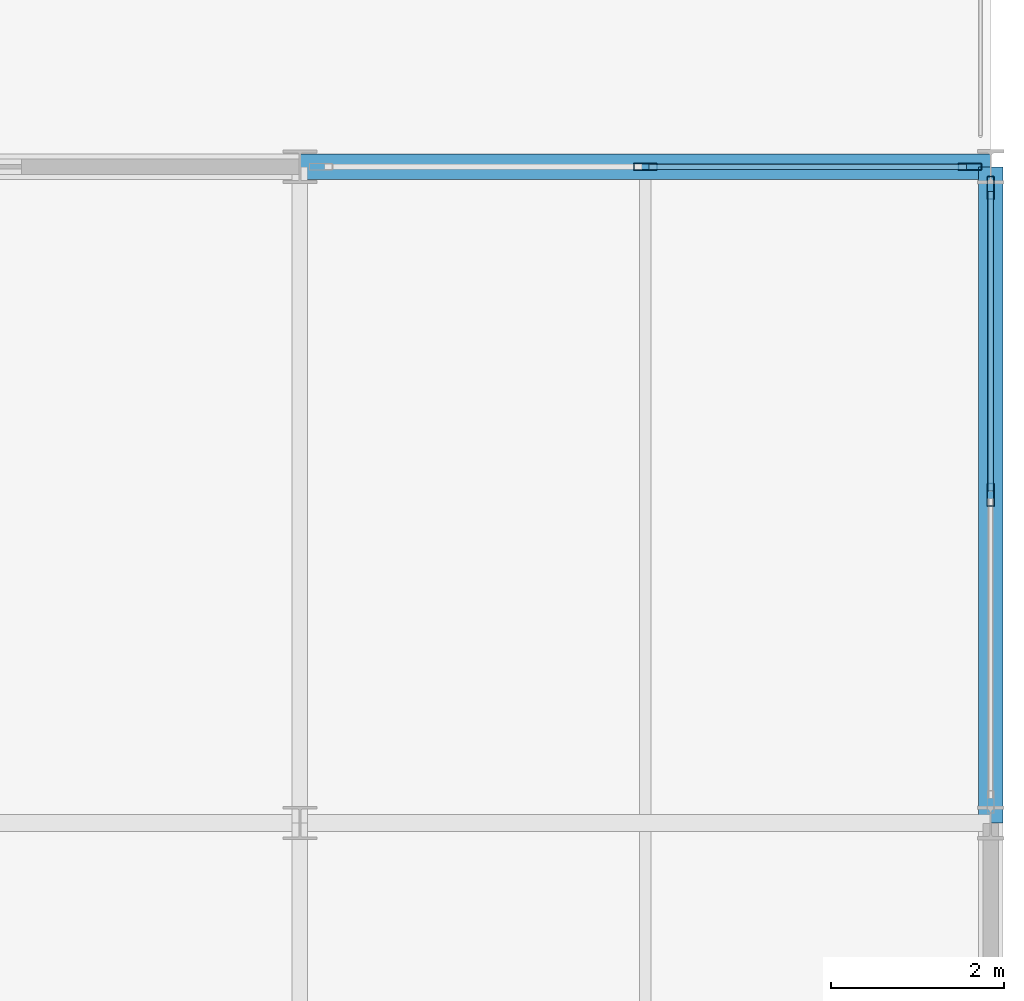
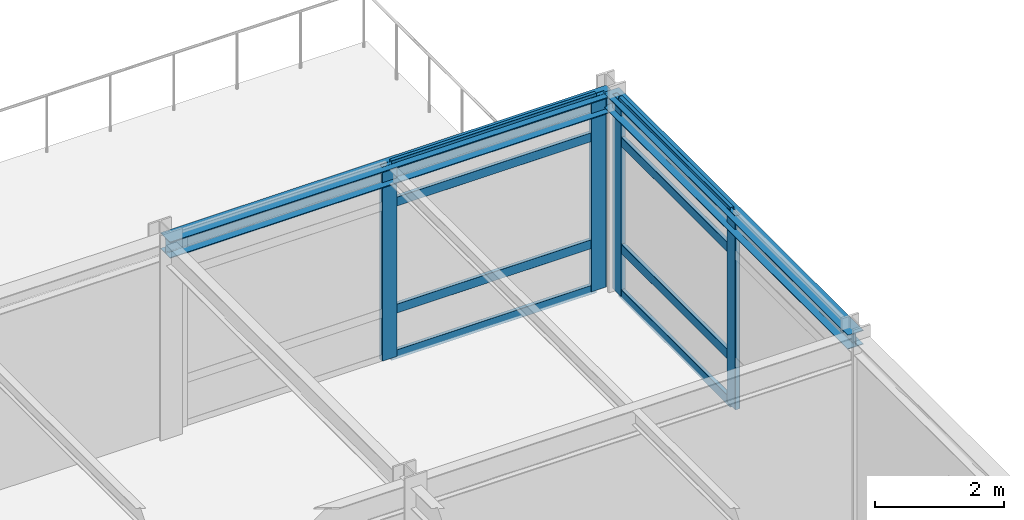
# One storey, part 11 of 17: 12 members, 2 beams, 2 elements without a shape of their own.
"""IFC4 building model written with IfcOpenShell, lengths in metres."""

from ifc_helpers import new_model, si_unit, direction, frame, origin, origin_2d, place, context, subcontext, project, spatial, hollow_rectangle, i_section, extrude, material, layer, layer_set, material_profile, profile_set, type_object, element, aggregate, save


model = new_model("IFC4")

# Units and contexts
model_context = context("Model", 3, precision=1e-05, world=origin(), true_north=direction((0.0, 1.0)))
body_context = subcontext(model_context, "Body", "Model", "MODEL_VIEW")
ifc_project = project(units=[si_unit("LENGTHUNIT", "METRE"), si_unit("AREAUNIT", "SQUARE_METRE"), si_unit("VOLUMEUNIT", "CUBIC_METRE"), si_unit("PLANEANGLEUNIT", "RADIAN"), si_unit("MASSUNIT", "GRAM", prefix="KILO")], contexts=[model_context])

# Site, building, storey
site_placement = place(None, origin())
site = spatial("IfcSite", under=ifc_project, at=site_placement, CompositionType="ELEMENT")
building_placement = place(site_placement, origin())
building = spatial("IfcBuilding", under=site, at=building_placement, Name="Shalkamar Park Central Library", CompositionType="ELEMENT")
storey_placement = place(building_placement, frame((0.0, 0.0, 36.0)))
storey = spatial("IfcBuildingStorey", under=building, at=storey_placement, Name="L09", CompositionType="ELEMENT", Elevation=36.0)

# Curtain wall, members
ifc_material_1 = material(Name="Thermally broken aluminium and triple low-e curtain wall", Category="aluminium")
ifc_layer_1 = layer(ifc_material_1, 0.27001953125)
ifc_layer_set_1 = layer_set([ifc_layer_1], Name="UnitisedCurtainWall_76")
curtain_wall_type_1 = type_object("IfcCurtainWallType", Name="Unitised Curtain Wall 76", PredefinedType="USERDEFINED", material=ifc_layer_set_1)
curtain_wall_1_placement = place(storey_placement, origin())
curtain_wall_1 = element("IfcCurtainWall", 1, at=curtain_wall_1_placement, inside=storey, type_object=curtain_wall_type_1, Name="Unitised Curtain Wall CW-L09-116", ObjectType="UNITISED CURTAIN WALL", PredefinedType="USERDEFINED")
ifc_material_2 = material(Name="Aluminium 6060-T66", Category="aluminium")
ifc_material_profile_1 = material_profile(ifc_material_2, hollow_rectangle(XDim=0.080078125, YDim=0.27001953125, WallThickness=0.0048828125, InnerFilletRadius=0.0048828125, OuterFilletRadius=0.007568359375, at=origin_2d()), Name="ALU 80x270x5")
ifc_profile_set_1 = profile_set([ifc_material_profile_1], Name="Aluminium 6060-T66")
member_type_1 = type_object("IfcMemberType", Name="Curtain Wall Mullion ALU80x270", PredefinedType="MULLION", material=ifc_profile_set_1)
member_1_placement = place(storey_placement, frame((217.000732421875, 285.60009765625, 0.0), z_axis=(0.0, 0.0, 1.0), x_axis=(0.0, 1.0, 0.0)))
member_1 = element("IfcMember", 2, at=member_1_placement, type_object=member_type_1, Name="CW-76 mullion 2", PredefinedType="MULLION", context=body_context, shape_type="SweptSolid", body=[
    extrude(hollow_rectangle(XDim=0.080078125, YDim=0.27001953125, WallThickness=0.0048828125, InnerFilletRadius=0.0048828125, OuterFilletRadius=0.007568359375, at=origin_2d()), origin(), (0.0, 0.0, 1.0), 3.679931640625),
])
member_2_placement = place(storey_placement, frame((220.758544921875, 285.60009765625, 0.0), z_axis=(0.0, 0.0, 1.0), x_axis=(0.0, 1.0, 0.0)))
member_2 = element("IfcMember", 3, at=member_2_placement, type_object=member_type_1, Name="CW-76 mullion 3", PredefinedType="MULLION", context=body_context, shape_type="SweptSolid", body=[
    extrude(hollow_rectangle(XDim=0.080078125, YDim=0.27001953125, WallThickness=0.0048828125, InnerFilletRadius=0.0048828125, OuterFilletRadius=0.007568359375, at=origin_2d()), origin(), (0.0, 0.0, 1.0), 3.679931640625),
])

ifc_layer_2 = layer(ifc_material_1, 0.264892578125)
ifc_layer_set_2 = layer_set([ifc_layer_2], Name="UnitisedCurtainWall_81")
curtain_wall_type_2 = type_object("IfcCurtainWallType", Name="Unitised Curtain Wall 81", PredefinedType="USERDEFINED", material=ifc_layer_set_2)
curtain_wall_2_placement = place(storey_placement, origin())
curtain_wall_2 = element("IfcCurtainWall", 4, at=curtain_wall_2_placement, inside=storey, type_object=curtain_wall_type_2, Name="Unitised Curtain Wall CW-L09-118", ObjectType="UNITISED CURTAIN WALL", PredefinedType="USERDEFINED")
ifc_material_profile_2 = material_profile(ifc_material_2, hollow_rectangle(XDim=0.0849609375, YDim=0.264892578125, WallThickness=0.0048828125, InnerFilletRadius=0.0048828125, OuterFilletRadius=0.007568359375, at=origin_2d()), Name="ALU 85x265x5")
ifc_profile_set_2 = profile_set([ifc_material_profile_2], Name="Aluminium 6060-T66")
member_type_2 = type_object("IfcMemberType", Name="Curtain Wall Mullion ALU85x265", PredefinedType="MULLION", material=ifc_profile_set_2)
member_3_placement = place(storey_placement, frame((221.0, 281.800048828125, 0.0), z_axis=(0.0, 0.0, 1.0), x_axis=(-1.0, 0.0, 0.0)))
member_3 = element("IfcMember", 5, at=member_3_placement, type_object=member_type_2, Name="CW-81 mullion 2", PredefinedType="MULLION", context=body_context, shape_type="SweptSolid", body=[
    extrude(hollow_rectangle(XDim=0.0849609375, YDim=0.264892578125, WallThickness=0.0048828125, InnerFilletRadius=0.0048828125, OuterFilletRadius=0.007568359375, at=origin_2d()), origin(), (0.0, 0.0, 1.0), 3.679931640625),
])
member_4_placement = place(storey_placement, frame((221.0, 285.35595703125, 0.0), z_axis=(0.0, 0.0, 1.0), x_axis=(-1.0, 0.0, 0.0)))
member_4 = element("IfcMember", 6, at=member_4_placement, type_object=member_type_2, Name="CW-81 mullion 3", PredefinedType="MULLION", context=body_context, shape_type="SweptSolid", body=[
    extrude(hollow_rectangle(XDim=0.0849609375, YDim=0.264892578125, WallThickness=0.0048828125, InnerFilletRadius=0.0048828125, OuterFilletRadius=0.007568359375, at=origin_2d()), origin(), (0.0, 0.0, 1.0), 3.679931640625),
])

# Member
ifc_material_profile_3 = material_profile(ifc_material_2, hollow_rectangle(XDim=0.06494140625, YDim=0.175048828125, WallThickness=0.00439453125, InnerFilletRadius=0.00439453125, OuterFilletRadius=0.0068359375, at=origin_2d()), Name="ALU 65x175x4.5")
ifc_profile_set_3 = profile_set([ifc_material_profile_3], Name="Aluminium 6060-T66")
member_type_3 = type_object("IfcMemberType", Name="Curtain Wall Transom ALU65x175", PredefinedType="USERDEFINED", material=ifc_profile_set_3)
member_5_placement = place(storey_placement, frame((217.040771484375, 285.60009765625, 0.032470703125), z_axis=(1.0, 0.0, 0.0), x_axis=(0.0, 1.0, 0.0)))
member_5 = element("IfcMember", 7, at=member_5_placement, type_object=member_type_3, Name="CW-76 transom 2.1", ObjectType="TRANSOM", PredefinedType="USERDEFINED", context=body_context, shape_type="SweptSolid", body=[
    extrude(hollow_rectangle(XDim=0.06494140625, YDim=0.175048828125, WallThickness=0.00439453125, InnerFilletRadius=0.00439453125, OuterFilletRadius=0.0068359375, at=origin_2d()), origin(), (0.0, 0.0, 1.0), 3.677734375),
])

member_6_placement = place(storey_placement, frame((217.040771484375, 285.60009765625, 0.89990234375), z_axis=(1.0, 0.0, 0.0), x_axis=(0.0, 1.0, 0.0)))
member_6 = element("IfcMember", 8, at=member_6_placement, type_object=member_type_3, Name="CW-76 transom 2.2", ObjectType="TRANSOM", PredefinedType="USERDEFINED", context=body_context, shape_type="SweptSolid", body=[
    extrude(hollow_rectangle(XDim=0.06494140625, YDim=0.175048828125, WallThickness=0.00439453125, InnerFilletRadius=0.00439453125, OuterFilletRadius=0.0068359375, at=origin_2d()), origin(), (0.0, 0.0, 1.0), 3.677734375),
])

member_7_placement = place(storey_placement, frame((217.040771484375, 285.60009765625, 2.929931640625), z_axis=(1.0, 0.0, 0.0), x_axis=(0.0, 1.0, 0.0)))
member_7 = element("IfcMember", 9, at=member_7_placement, type_object=member_type_3, Name="CW-76 transom 2.3", ObjectType="TRANSOM", PredefinedType="USERDEFINED", context=body_context, shape_type="SweptSolid", body=[
    extrude(hollow_rectangle(XDim=0.06494140625, YDim=0.175048828125, WallThickness=0.00439453125, InnerFilletRadius=0.00439453125, OuterFilletRadius=0.0068359375, at=origin_2d()), origin(), (0.0, 0.0, 1.0), 3.677734375),
])

member_8_placement = place(storey_placement, frame((217.040771484375, 285.60009765625, 3.6474609375), z_axis=(1.0, 0.0, 0.0), x_axis=(0.0, 1.0, 0.0)))
member_8 = element("IfcMember", 10, at=member_8_placement, type_object=member_type_3, Name="CW-76 transom 2.4", ObjectType="TRANSOM", PredefinedType="USERDEFINED", context=body_context, shape_type="SweptSolid", body=[
    extrude(hollow_rectangle(XDim=0.06494140625, YDim=0.175048828125, WallThickness=0.00439453125, InnerFilletRadius=0.00439453125, OuterFilletRadius=0.0068359375, at=origin_2d()), origin(), (0.0, 0.0, 1.0), 3.677734375),
])

aggregate(curtain_wall_1, [member_1, member_2, member_5, member_6, member_7, member_8])

ifc_material_profile_4 = material_profile(ifc_material_2, hollow_rectangle(XDim=0.070068359375, YDim=0.179931640625, WallThickness=0.00439453125, InnerFilletRadius=0.00439453125, OuterFilletRadius=0.0068359375, at=origin_2d()), Name="ALU 70x180x4.5")
ifc_profile_set_4 = profile_set([ifc_material_profile_4], Name="Aluminium 6060-T66")
member_type_4 = type_object("IfcMemberType", Name="Curtain Wall Transom ALU70x180", PredefinedType="USERDEFINED", material=ifc_profile_set_4)
member_9_placement = place(storey_placement, frame((221.0, 281.842529296875, 0.034912109375), z_axis=(0.0, 1.0, 0.0), x_axis=(-1.0, 0.0, 0.0)))
member_9 = element("IfcMember", 11, at=member_9_placement, type_object=member_type_4, Name="CW-81 transom 2.1", ObjectType="TRANSOM", PredefinedType="USERDEFINED", context=body_context, shape_type="SweptSolid", body=[
    extrude(hollow_rectangle(XDim=0.070068359375, YDim=0.179931640625, WallThickness=0.00439453125, InnerFilletRadius=0.00439453125, OuterFilletRadius=0.0068359375, at=origin_2d()), origin(), (0.0, 0.0, 1.0), 3.470947265625),
])

member_10_placement = place(storey_placement, frame((221.0, 281.842529296875, 0.89990234375), z_axis=(0.0, 1.0, 0.0), x_axis=(-1.0, 0.0, 0.0)))
member_10 = element("IfcMember", 12, at=member_10_placement, type_object=member_type_4, Name="CW-81 transom 2.2", ObjectType="TRANSOM", PredefinedType="USERDEFINED", context=body_context, shape_type="SweptSolid", body=[
    extrude(hollow_rectangle(XDim=0.070068359375, YDim=0.179931640625, WallThickness=0.00439453125, InnerFilletRadius=0.00439453125, OuterFilletRadius=0.0068359375, at=origin_2d()), origin(), (0.0, 0.0, 1.0), 3.470947265625),
])

member_11_placement = place(storey_placement, frame((221.0, 281.842529296875, 2.929931640625), z_axis=(0.0, 1.0, 0.0), x_axis=(-1.0, 0.0, 0.0)))
member_11 = element("IfcMember", 13, at=member_11_placement, type_object=member_type_4, Name="CW-81 transom 2.3", ObjectType="TRANSOM", PredefinedType="USERDEFINED", context=body_context, shape_type="SweptSolid", body=[
    extrude(hollow_rectangle(XDim=0.070068359375, YDim=0.179931640625, WallThickness=0.00439453125, InnerFilletRadius=0.00439453125, OuterFilletRadius=0.0068359375, at=origin_2d()), origin(), (0.0, 0.0, 1.0), 3.470947265625),
])

member_12_placement = place(storey_placement, frame((221.0, 281.842529296875, 3.64501953125), z_axis=(0.0, 1.0, 0.0), x_axis=(-1.0, 0.0, 0.0)))
member_12 = element("IfcMember", 14, at=member_12_placement, type_object=member_type_4, Name="CW-81 transom 2.4", ObjectType="TRANSOM", PredefinedType="USERDEFINED", context=body_context, shape_type="SweptSolid", body=[
    extrude(hollow_rectangle(XDim=0.070068359375, YDim=0.179931640625, WallThickness=0.00439453125, InnerFilletRadius=0.00439453125, OuterFilletRadius=0.0068359375, at=origin_2d()), origin(), (0.0, 0.0, 1.0), 3.470947265625),
])

aggregate(curtain_wall_2, [member_3, member_4, member_9, member_10, member_11, member_12])

# Beams
ifc_material_3 = material(Name="Steel S355", Category="steel")
ifc_material_profile_5 = material_profile(ifc_material_3, i_section(OverallWidth=0.280029296875, OverallDepth=0.27001953125, WebThickness=0.008056640625, FlangeThickness=0.012939453125, FilletRadius=0.02392578125, at=origin_2d()), Name="HEA 280")
ifc_profile_set_5 = profile_set([ifc_material_profile_5], Name="Steel S355")
beam_type_1 = type_object("IfcBeamType", Name="Perimeter Spandrel Beam HEA280", PredefinedType="SPANDREL", material=ifc_profile_set_5)
beam_1_placement = place(storey_placement, frame((221.0, 278.0, 3.544921875), z_axis=(0.0, 1.0, 0.0), x_axis=(-1.0, 0.0, 0.0)))
element("IfcBeam", 15, at=beam_1_placement, inside=storey, type_object=beam_type_1, Name="Beam 14:F-G (L09)", PredefinedType="SPANDREL", context=body_context, shape_type="SweptSolid", body=[
    extrude(i_section(OverallWidth=0.280029296875, OverallDepth=0.27001953125, WebThickness=0.008056640625, FlangeThickness=0.012939453125, FilletRadius=0.02392578125, at=origin_2d()), origin(), (0.0, 0.0, 1.0), 7.60009765625),
])
ifc_material_profile_6 = material_profile(ifc_material_3, i_section(OverallWidth=0.300048828125, OverallDepth=0.31005859375, WebThickness=0.009033203125, FlangeThickness=0.015380859375, FilletRadius=0.027099609375, at=origin_2d()), Name="HEA 320")
ifc_profile_set_6 = profile_set([ifc_material_profile_6], Name="Steel S355")
beam_type_2 = type_object("IfcBeamType", Name="Perimeter Spandrel Beam HEA320", PredefinedType="SPANDREL", material=ifc_profile_set_6)
beam_2_placement = place(storey_placement, frame((213.0, 285.60009765625, 3.52490234375), z_axis=(1.0, 0.0, 0.0), x_axis=(0.0, 1.0, 0.0)))
element("IfcBeam", 16, at=beam_2_placement, inside=storey, type_object=beam_type_2, Name="Beam G:13-14 (L09)", PredefinedType="SPANDREL", context=body_context, shape_type="SweptSolid", body=[
    extrude(i_section(OverallWidth=0.300048828125, OverallDepth=0.31005859375, WebThickness=0.009033203125, FlangeThickness=0.015380859375, FilletRadius=0.027099609375, at=origin_2d()), origin(), (0.0, 0.0, 1.0), 8.0),
])

save(model, "model.ifc")
